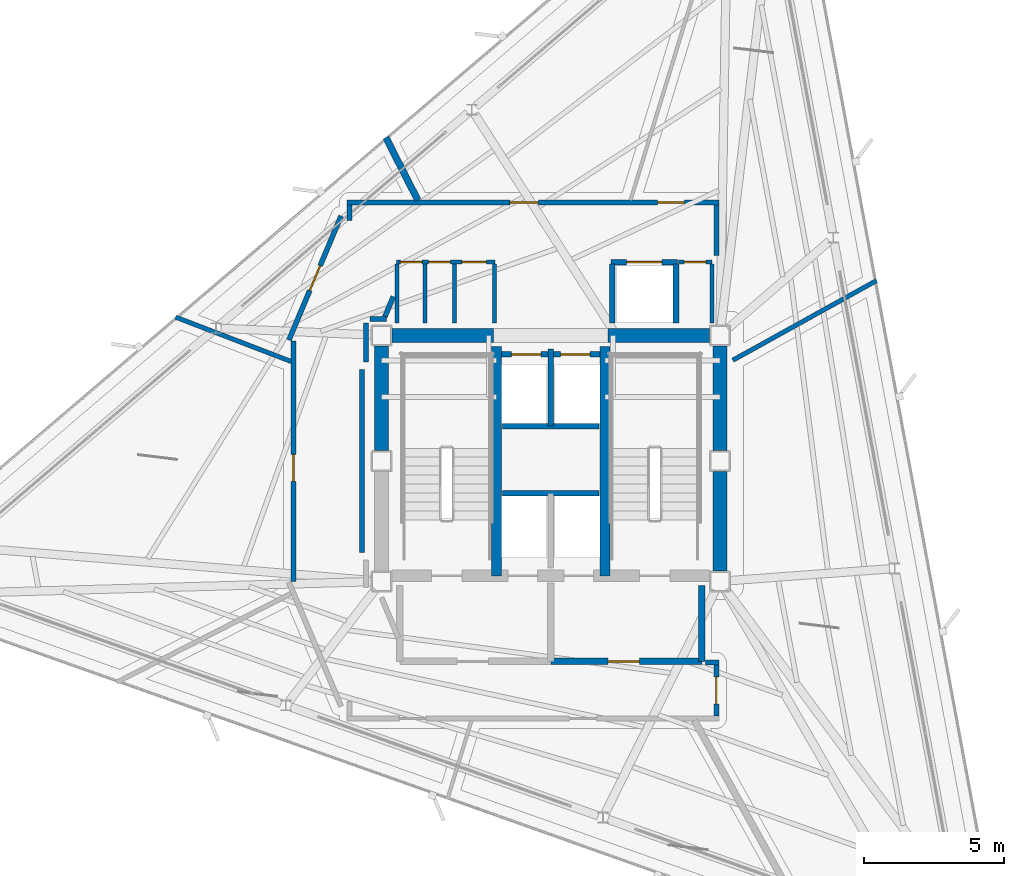
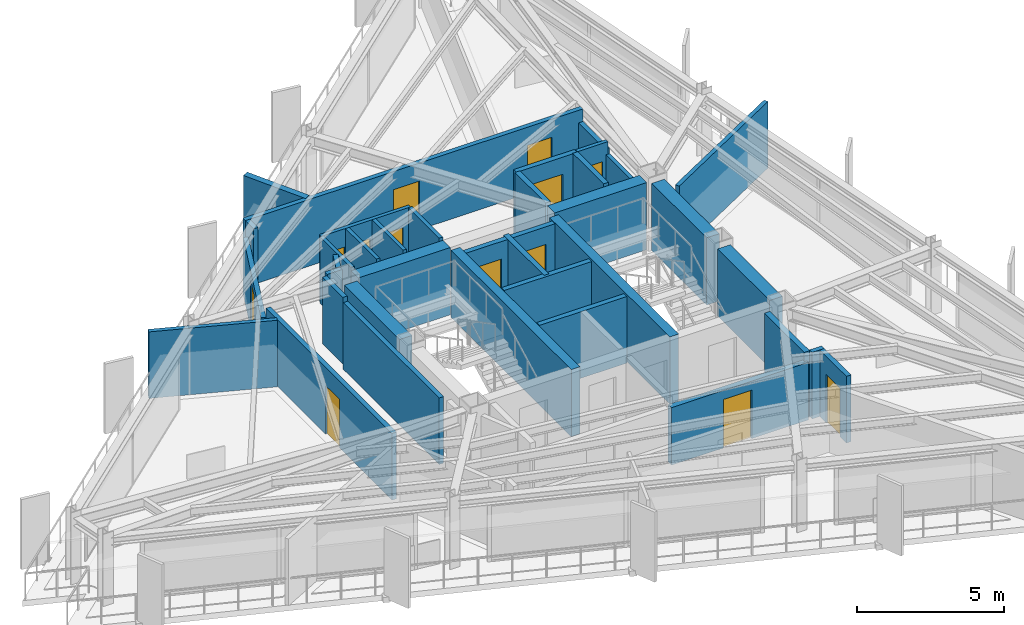
# One storey, part 9 of 14: 37 walls, 13 doors, 13 openings.
"""IFC4 building model written with IfcOpenShell, lengths in metres."""

from ifc_helpers import new_model, si_unit, direction, frame, frame_2d, origin, place, context, subcontext, project, spatial, rectangle, extrude, material, layer, layer_set, type_object, element, fill, save


model = new_model("IFC4")

# Units and contexts
model_context = context("Model", 3, precision=1e-05, world=origin(), true_north=direction((0.0, 1.0)))
body_context = subcontext(model_context, "Body", "Model", "MODEL_VIEW")
ifc_project = project(units=[si_unit("LENGTHUNIT", "METRE"), si_unit("AREAUNIT", "SQUARE_METRE"), si_unit("VOLUMEUNIT", "CUBIC_METRE"), si_unit("PLANEANGLEUNIT", "RADIAN"), si_unit("MASSUNIT", "GRAM", prefix="KILO")], contexts=[model_context])

# Site, building, storey
site_placement = place(None, origin())
site = spatial("IfcSite", under=ifc_project, at=site_placement, CompositionType="ELEMENT")
building_placement = place(site_placement, origin())
building = spatial("IfcBuilding", under=site, at=building_placement, Name="Rocaltana Carrier Exchange", CompositionType="ELEMENT")
storey_placement = place(building_placement, frame((0.0, 0.0, 181.43994140625)))
storey = spatial("IfcBuildingStorey", under=building, at=storey_placement, Name="L57", CompositionType="ELEMENT", Elevation=181.43994140625)

# Walls
ifc_material_1 = material(Name="Double Acoustic Gypsum Partition", Category="gypsum")
ifc_layer_1 = layer(ifc_material_1, 0.159912109375)
ifc_layer_set_1 = layer_set([ifc_layer_1], Name="Double Acoustic Gypsum Partition")
wall_type_1 = type_object("IfcWallType", Name="Acoustic Studio Partition 160 EI60", PredefinedType="PARTITIONING", material=ifc_layer_set_1)
wall_1_placement = place(storey_placement, frame((6.510009765625, 3.608642578125, 0.0), z_axis=(0.0, 0.0, 1.0), x_axis=(0.874634801292, 0.484782388675, 0.0)))
element("IfcWall", 1, at=wall_1_placement, inside=storey, type_object=wall_type_1, Name="L57 Suite Divider Wall D4", PredefinedType="PARTITIONING", context=body_context, shape_type="SweptSolid", body=[
    extrude(rectangle(XDim=5.879150390625, YDim=0.159912109375, at=frame_2d((2.939453125, 0.0))), origin(), (0.0, 0.0, 1.0), 2.77294921875),
])
wall_2_placement = place(storey_placement, frame((-9.280029296875, 3.562255859375, 0.0), z_axis=(0.0, 0.0, 1.0), x_axis=(-0.933582300371, 0.3583630679, 0.0)))
element("IfcWall", 2, at=wall_2_placement, inside=storey, type_object=wall_type_1, Name="L57 Suite Divider Wall D7", PredefinedType="PARTITIONING", context=body_context, shape_type="SweptSolid", body=[
    extrude(rectangle(XDim=4.435791015625, YDim=0.159912109375, at=frame_2d((2.2177734375, 0.0))), origin(), (0.0, 0.0, 1.0), 2.77294921875),
])
ifc_material_2 = material(Name="Concrete C50/60", Category="concrete")
ifc_layer_2 = layer(ifc_material_2, 0.35009765625)
ifc_layer_set_2 = layer_set([ifc_layer_2], Name="Concrete C50/60")
wall_type_2 = type_object("IfcWallType", Name="Core Internal Shear Wall 350", PredefinedType="SHEAR", material=ifc_layer_set_2)
for number, where, z_axis, x_axis, name in (
    (3, (-1.93994140625, -4.10009765625, 0.0), (0.0, 0.0, 1.0), (0.0, 1.0, 0.0), "L57 Core Shear Wall CW-STW"),
    (4, (1.93994140625, -4.10009765625, 0.0), (0.0, 0.0, 1.0), (0.0, 1.0, 0.0), "L57 Core Shear Wall CW-STE"),
):
    element("IfcWall", number, at=place(storey_placement, frame(where, z_axis=z_axis, x_axis=x_axis)), inside=storey, type_object=wall_type_2, Name=name, PredefinedType="SHEAR", context=body_context, shape_type="SweptSolid", body=[
        extrude(rectangle(XDim=8.2001953125, YDim=0.35009765625, at=frame_2d((4.10009765625, 0.0))), origin(), (0.0, 0.0, 1.0), 2.798095703125),
    ])
ifc_material_3 = material(Name="Concrete C50/60", Category="concrete")
ifc_layer_3 = layer(ifc_material_3, 0.5)
ifc_layer_set_3 = layer_set([ifc_layer_3], Name="Concrete C50/60")
wall_type_3 = type_object("IfcWallType", Name="Core Shear Wall 500", PredefinedType="SHEAR", material=ifc_layer_set_3)
for number, where, z_axis, x_axis, name in (
    (5, (-6.050048828125, 0.375, 0.0), (0.0, 0.0, 1.0), (0.0, 1.0, 0.0), "L57 Core Shear Wall CW-WN"),
    (6, (6.050048828125, 0.375, 0.0), (0.0, 0.0, 1.0), (0.0, 1.0, 0.0), "L57 Core Shear Wall CW-EN"),
):
    element("IfcWall", number, at=place(storey_placement, frame(where, z_axis=z_axis, x_axis=x_axis)), inside=storey, type_object=wall_type_3, Name=name, PredefinedType="SHEAR", context=body_context, shape_type="SweptSolid", body=[
        extrude(rectangle(XDim=3.75, YDim=0.5, at=frame_2d((1.875, 0.0))), origin(), (0.0, 0.0, 1.0), 2.798095703125),
    ])
wall_3_placement = place(storey_placement, frame((6.050048828125, -3.925048828125, 0.0), z_axis=(0.0, 0.0, 1.0), x_axis=(0.0, 1.0, 0.0)))
element("IfcWall", 7, at=wall_3_placement, inside=storey, type_object=wall_type_3, Name="L57 Core Shear Wall CW-ES", PredefinedType="SHEAR", context=body_context, shape_type="SweptSolid", body=[
    extrude(rectangle(XDim=3.550048828125, YDim=0.5, at=frame_2d((1.77490234375, 0.0))), origin(), (0.0, 0.0, 1.0), 2.798095703125),
])
for number, where, z_axis, x_axis, name in (
    (8, (-5.675048828125, 4.5, 0.0), (0.0, 0.0, 1.0), (1.0, 0.0, 0.0), "L57 Core Shear Wall CW-N1"),
    (9, (2.050048828125, 4.5, 0.0), (0.0, 0.0, 1.0), (1.0, 0.0, 0.0), "L57 Core Shear Wall CW-N2"),
):
    element("IfcWall", number, at=place(storey_placement, frame(where, z_axis=z_axis, x_axis=x_axis)), inside=storey, type_object=wall_type_3, Name=name, PredefinedType="SHEAR", context=body_context, shape_type="SweptSolid", body=[
        extrude(rectangle(XDim=3.625, YDim=0.5, at=frame_2d((1.8125, 0.0))), origin(), (0.0, 0.0, 1.0), 2.798095703125),
    ])

# Wall, opening, door
ifc_material_4 = material(Name="Gypsum & Steel Stud Partition", Category="steel")
ifc_layer_4 = layer(ifc_material_4, 0.179931640625)
ifc_layer_set_4 = layer_set([ifc_layer_4], Name="Gypsum & Steel Stud Partition")
wall_type_4 = type_object("IfcWallType", Name="Corridor Fire Partition 180 EI60", PredefinedType="PARTITIONING", material=ifc_layer_set_4)
wall_4_placement = place(storey_placement, frame((-9.199951171875, -4.303466796875, 0.0), z_axis=(0.0, 0.0, 1.0), x_axis=(0.0, 1.0, 0.0)))
wall_4 = element("IfcWall", 10, at=wall_4_placement, inside=storey, type_object=wall_type_4, Name="L57 Corridor Partition 2", PredefinedType="PARTITIONING", context=body_context, shape_type="SweptSolid", body=[
    extrude(rectangle(XDim=8.60693359375, YDim=0.179931640625, at=frame_2d((4.303466796875, 0.0))), origin(), (0.0, 0.0, 1.0), 2.77294921875),
])
opening_1_placement = place(wall_4_placement, frame((3.58203125, 0.0, 0.0)))
opening_1 = element("IfcOpeningElement", 11, at=opening_1_placement, cuts=wall_4, Name="Opening D-RM098", PredefinedType="OPENING", context=body_context, shape_type="SweptSolid", body=[
    extrude(rectangle(XDim=0.9599609375, YDim=2.02001953125, at=frame_2d((0.47998046875, 1.010009765625))), frame((0.0, 0.099853515625, 0.0), z_axis=(0.0, -1.0, 0.0), x_axis=(1.0, 0.0, 0.0)), (0.0, 0.0, 1.0), 0.199951171875),
])
ifc_material_5 = material(Name="Engineered Hardwood Timber", Category="wood")
door_type_1 = type_object("IfcDoorType", Name="Workspace Single Door 960x2020", OperationType="NOTDEFINED", PredefinedType="DOOR", material=ifc_material_5)
door_1_placement = place(opening_1_placement, origin())
door_1 = element("IfcDoor", 12, at=door_1_placement, inside=storey, type_object=door_type_1, Name="L57 Client Reception Foyer Entrance Door", OperationType="SINGLE_SWING_RIGHT", OverallHeight=2.02001953125, OverallWidth=0.9599609375, PredefinedType="DOOR", context=body_context, shape_type="SweptSolid", body=[
    extrude(rectangle(XDim=0.9599609375, YDim=2.02001953125, at=frame_2d((0.47998046875, 1.010009765625))), frame((0.0, 0.02490234375, 0.0), z_axis=(0.0, -1.0, 0.0), x_axis=(1.0, 0.0, 0.0)), (0.0, 0.0, 1.0), 0.050048828125),
])
fill(opening_1, door_1)

wall_5_placement = place(storey_placement, frame((-9.36669921875, 4.331787109375, 0.0), z_axis=(0.0, 0.0, 1.0), x_axis=(0.387573945081, 0.921838617706, 0.0)))
wall_5 = element("IfcWall", 13, at=wall_5_placement, inside=storey, type_object=wall_type_4, Name="L57 Corridor Partition 3", PredefinedType="PARTITIONING", context=body_context, shape_type="SweptSolid", body=[
    extrude(rectangle(XDim=4.813232421875, YDim=0.179931640625, at=frame_2d((2.40673828125, 0.0))), origin(), (0.0, 0.0, 1.0), 2.39501953125),
])
opening_2_placement = place(wall_5_placement, frame((1.926513671875, 0.0, 0.0)))
opening_2 = element("IfcOpeningElement", 14, at=opening_2_placement, cuts=wall_5, Name="Opening D-RM098", PredefinedType="OPENING", context=body_context, shape_type="SweptSolid", body=[
    extrude(rectangle(XDim=0.9599609375, YDim=2.02001953125, at=frame_2d((0.47998046875, 1.010009765625))), frame((0.0, 0.099853515625, 0.0), z_axis=(0.0, -1.0, 0.0), x_axis=(1.0, 0.0, 0.0)), (0.0, 0.0, 1.0), 0.199951171875),
])
door_2_placement = place(opening_2_placement, origin())
door_2 = element("IfcDoor", 15, at=door_2_placement, inside=storey, type_object=door_type_1, Name="L57 Client Reception Foyer Entrance Door", OperationType="SINGLE_SWING_RIGHT", OverallHeight=2.02001953125, OverallWidth=0.9599609375, PredefinedType="DOOR", context=body_context, shape_type="SweptSolid", body=[
    extrude(rectangle(XDim=0.9599609375, YDim=2.02001953125, at=frame_2d((0.47998046875, 1.010009765625))), frame((0.0, 0.02490234375, 0.0), z_axis=(0.0, -1.0, 0.0), x_axis=(1.0, 0.0, 0.0)), (0.0, 0.0, 1.0), 0.050048828125),
])
fill(opening_2, door_2)

# Wall
wall_6_placement = place(storey_placement, frame((-7.199951171875, 8.6005859375, 0.0), z_axis=(0.0, 0.0, 1.0), x_axis=(0.0, 1.0, 0.0)))
element("IfcWall", 16, at=wall_6_placement, inside=storey, type_object=wall_type_4, Name="L57 Corridor Partition 4", PredefinedType="PARTITIONING", context=body_context, shape_type="SweptSolid", body=[
    extrude(rectangle(XDim=0.559326171875, YDim=0.179931640625, at=frame_2d((0.27978515625, 0.0))), origin(), (0.0, 0.0, 1.0), 2.77294921875),
])

# Wall, openings, doors
wall_7_placement = place(storey_placement, frame((-7.2900390625, 9.25, 0.0), z_axis=(0.0, 0.0, 1.0), x_axis=(1.0, 0.0, 0.0)))
wall_7 = element("IfcWall", 17, at=wall_7_placement, inside=storey, type_object=wall_type_4, Name="L57 Corridor Partition 5", PredefinedType="PARTITIONING", context=body_context, shape_type="SweptSolid", body=[
    extrude(rectangle(XDim=13.300048828125, YDim=0.179931640625, at=frame_2d((6.64990234375, 0.0))), origin(), (0.0, 0.0, 1.0), 2.77294921875),
])
opening_3_placement = place(wall_7_placement, frame((11.11279296875, 0.0, 0.0)))
opening_3 = element("IfcOpeningElement", 18, at=opening_3_placement, cuts=wall_7, Name="Opening D-RM098", PredefinedType="OPENING", context=body_context, shape_type="SweptSolid", body=[
    extrude(rectangle(XDim=0.9599609375, YDim=2.02001953125, at=frame_2d((0.47998046875, 1.010009765625))), frame((0.0, 0.099853515625, 0.0), z_axis=(0.0, -1.0, 0.0), x_axis=(1.0, 0.0, 0.0)), (0.0, 0.0, 1.0), 0.199951171875),
])
opening_4_placement = place(wall_7_placement, frame((5.8271484375, 0.0, 0.0)))
opening_4 = element("IfcOpeningElement", 19, at=opening_4_placement, cuts=wall_7, Name="Opening D-LB104", PredefinedType="OPENING", context=body_context, shape_type="SweptSolid", body=[
    extrude(rectangle(XDim=1.02001953125, YDim=2.02001953125, at=frame_2d((0.510009765625, 1.010009765625))), frame((0.0, 0.099853515625, 0.0), z_axis=(0.0, -1.0, 0.0), x_axis=(1.0, 0.0, 0.0)), (0.0, 0.0, 1.0), 0.199951171875),
])
ifc_material_6 = material(Name="Powder-Coated Aluminium 6063-T6", Category="aluminium")
door_type_2 = type_object("IfcDoorType", Name="Laboratory Acoustic Door 1020x2020", OperationType="NOTDEFINED", PredefinedType="DOOR", material=ifc_material_6)
door_3_placement = place(opening_4_placement, origin())
door_3 = element("IfcDoor", 20, at=door_3_placement, inside=storey, type_object=door_type_2, Name="L57 Optical Switching Laboratory Entrance Door", OperationType="SINGLE_SWING_LEFT", OverallHeight=2.02001953125, OverallWidth=1.02001953125, PredefinedType="DOOR", context=body_context, shape_type="SweptSolid", body=[
    extrude(rectangle(XDim=1.02001953125, YDim=2.02001953125, at=frame_2d((0.510009765625, 1.010009765625))), frame((0.0, 0.02490234375, 0.0), z_axis=(0.0, -1.0, 0.0), x_axis=(1.0, 0.0, 0.0)), (0.0, 0.0, 1.0), 0.050048828125),
])
fill(opening_4, door_3)
door_4_placement = place(opening_3_placement, origin())
door_4 = element("IfcDoor", 21, at=door_4_placement, inside=storey, type_object=door_type_1, Name="L57 Peering Conference Room Entrance Door", OperationType="SINGLE_SWING_RIGHT", OverallHeight=2.02001953125, OverallWidth=0.9599609375, PredefinedType="DOOR", context=body_context, shape_type="SweptSolid", body=[
    extrude(rectangle(XDim=0.9599609375, YDim=2.02001953125, at=frame_2d((0.47998046875, 1.010009765625))), frame((0.0, 0.02490234375, 0.0), z_axis=(0.0, -1.0, 0.0), x_axis=(1.0, 0.0, 0.0)), (0.0, 0.0, 1.0), 0.050048828125),
])
fill(opening_3, door_4)

# Walls
wall_8_placement = place(storey_placement, frame((5.919921875, 9.159912109375, 0.0), z_axis=(0.0, 0.0, 1.0), x_axis=(0.0, -1.0, 0.0)))
element("IfcWall", 22, at=wall_8_placement, inside=storey, type_object=wall_type_4, Name="L57 Corridor Partition 6", PredefinedType="PARTITIONING", context=body_context, shape_type="SweptSolid", body=[
    extrude(rectangle(XDim=1.7998046875, YDim=0.179931640625, at=frame_2d((0.89990234375, 0.0))), origin(), (0.0, 0.0, 1.0), 2.253173828125),
])
wall_9_placement = place(storey_placement, frame((-5.632080078125, 5.88671875, 0.0), z_axis=(0.0, 0.0, 1.0), x_axis=(-0.387792833522, -0.921746558588, 0.0)))
element("IfcWall", 23, at=wall_9_placement, inside=storey, type_object=wall_type_4, Name="L57 Corridor Partition 8", PredefinedType="PARTITIONING", context=body_context, shape_type="SweptSolid", body=[
    extrude(rectangle(XDim=0.78515625, YDim=0.179931640625, at=frame_2d((0.392578125, 0.0))), origin(), (0.0, 0.0, 1.0), 2.77294921875),
])
wall_10_placement = place(storey_placement, frame((-5.88134765625, 5.080078125, 0.0), z_axis=(0.0, 0.0, 1.0), x_axis=(-1.0, 0.0, 0.0)))
element("IfcWall", 24, at=wall_10_placement, inside=storey, type_object=wall_type_4, Name="L57 Corridor Partition 9", PredefinedType="PARTITIONING", context=body_context, shape_type="SweptSolid", body=[
    extrude(rectangle(XDim=0.588623046875, YDim=0.179931640625, at=frame_2d((0.29443359375, 0.0))), origin(), (0.0, 0.0, 1.0), 2.77294921875),
])
wall_11_placement = place(storey_placement, frame((-6.610107421875, 4.93994140625, 0.0), z_axis=(0.0, 0.0, 1.0), x_axis=(0.0, -1.0, 0.0)))
element("IfcWall", 25, at=wall_11_placement, inside=storey, type_object=wall_type_4, Name="L57 Corridor Partition 10", PredefinedType="PARTITIONING", context=body_context, shape_type="SweptSolid", body=[
    extrude(rectangle(XDim=1.398681640625, YDim=0.179931640625, at=frame_2d((0.69921875, 0.0))), origin(), (0.0, 0.0, 1.0), 2.77294921875),
])
wall_12_placement = place(storey_placement, frame((-6.75, 3.2734375, 0.0), z_axis=(0.0, 0.0, 1.0), x_axis=(0.0, -1.0, 0.0)))
element("IfcWall", 26, at=wall_12_placement, inside=storey, type_object=wall_type_4, Name="L57 Corridor Partition 11", PredefinedType="PARTITIONING", context=body_context, shape_type="SweptSolid", body=[
    extrude(rectangle(XDim=6.546875, YDim=0.179931640625, at=frame_2d((3.2734375, 0.0))), origin(), (0.0, 0.0, 1.0), 2.77294921875),
])
wall_13_placement = place(storey_placement, frame((5.530029296875, -7.199951171875, 0.0), z_axis=(0.0, 0.0, 1.0), x_axis=(1.0, 0.0, 0.0)))
element("IfcWall", 27, at=wall_13_placement, inside=storey, type_object=wall_type_4, Name="L57 Corridor Partition 14", PredefinedType="PARTITIONING", context=body_context, shape_type="SweptSolid", body=[
    extrude(rectangle(XDim=0.47998046875, YDim=0.179931640625, at=frame_2d((0.239990234375, 0.0))), origin(), (0.0, 0.0, 1.0), 2.77294921875),
])

# Wall, opening, door
wall_14_placement = place(storey_placement, frame((5.919921875, -7.2900390625, 0.0), z_axis=(0.0, 0.0, 1.0), x_axis=(0.0, -1.0, 0.0)))
wall_14 = element("IfcWall", 28, at=wall_14_placement, inside=storey, type_object=wall_type_4, Name="L57 Corridor Partition 15", PredefinedType="PARTITIONING", context=body_context, shape_type="SweptSolid", body=[
    extrude(rectangle(XDim=1.820068359375, YDim=0.179931640625, at=frame_2d((0.91015625, 0.0))), origin(), (0.0, 0.0, 1.0), 2.77294921875),
])
opening_5_placement = place(wall_14_placement, frame((0.429931640625, 0.0, 0.0)))
opening_5 = element("IfcOpeningElement", 29, at=opening_5_placement, cuts=wall_14, Name="Opening D-RM098", PredefinedType="OPENING", context=body_context, shape_type="SweptSolid", body=[
    extrude(rectangle(XDim=0.9599609375, YDim=2.02001953125, at=frame_2d((0.47998046875, 1.010009765625))), frame((0.0, 0.099853515625, 0.0), z_axis=(0.0, -1.0, 0.0), x_axis=(1.0, 0.0, 0.0)), (0.0, 0.0, 1.0), 0.199951171875),
])
door_5_placement = place(opening_5_placement, origin())
door_5 = element("IfcDoor", 30, at=door_5_placement, inside=storey, type_object=door_type_1, Name="L57 Cloud Architecture Office Entrance Door", OperationType="SINGLE_SWING_LEFT", OverallHeight=2.02001953125, OverallWidth=0.9599609375, PredefinedType="DOOR", context=body_context, shape_type="SweptSolid", body=[
    extrude(rectangle(XDim=0.9599609375, YDim=2.02001953125, at=frame_2d((0.47998046875, 1.010009765625))), frame((0.0, 0.02490234375, 0.0), z_axis=(0.0, -1.0, 0.0), x_axis=(1.0, 0.0, 0.0)), (0.0, 0.0, 1.0), 0.050048828125),
])
fill(opening_5, door_5)

# Wall
ifc_material_7 = material(Name="Autoclaved Aerated Concrete C30/37", Category="concrete")
ifc_layer_5 = layer(ifc_material_7, 0.219970703125)
ifc_layer_set_5 = layer_set([ifc_layer_5], Name="Autoclaved Aerated Concrete C30/37")
wall_type_5 = type_object("IfcWallType", Name="Firefighting Lobby Wall 220 EI120", PredefinedType="PARTITIONING", material=ifc_layer_set_5)
wall_15_placement = place(storey_placement, frame((5.39990234375, -7.159912109375, 0.0), z_axis=(0.0, 0.0, 1.0), x_axis=(0.0, 1.0, 0.0)))
element("IfcWall", 31, at=wall_15_placement, inside=storey, type_object=wall_type_5, Name="L57 FFL Lobby 2 East Wall", PredefinedType="PARTITIONING", context=body_context, shape_type="SweptSolid", body=[
    extrude(rectangle(XDim=2.7099609375, YDim=0.219970703125, at=frame_2d((1.35498046875, 0.0))), origin(), (0.0, 0.0, 1.0), 2.77294921875),
])

# Wall, opening, door
wall_16_placement = place(storey_placement, frame((0.0, -7.159912109375, 0.0), z_axis=(0.0, 0.0, 1.0), x_axis=(1.0, 0.0, 0.0)))
wall_16 = element("IfcWall", 32, at=wall_16_placement, inside=storey, type_object=wall_type_5, Name="L57 FFL Lobby 2 South Wall", PredefinedType="PARTITIONING", context=body_context, shape_type="SweptSolid", body=[
    extrude(rectangle(XDim=5.39990234375, YDim=0.219970703125, at=frame_2d((2.699951171875, 0.0))), origin(), (0.0, 0.0, 1.0), 2.39501953125),
])
opening_6_placement = place(wall_16_placement, frame((2.050048828125, 0.0, 0.0)))
opening_6 = element("IfcOpeningElement", 33, at=opening_6_placement, cuts=wall_16, Name="Opening D-FF115", PredefinedType="OPENING", context=body_context, shape_type="SweptSolid", body=[
    extrude(rectangle(XDim=1.1201171875, YDim=2.02001953125, at=frame_2d((0.56005859375, 1.010009765625))), frame((0.0, 0.119873046875, 0.0), z_axis=(0.0, -1.0, 0.0), x_axis=(1.0, 0.0, 0.0)), (0.0, 0.0, 1.0), 0.239990234375),
])
ifc_material_8 = material(Name="Hollow Metal Fire Door Assembly", Category="steel")
door_type_3 = type_object("IfcDoorType", Name="Firefighting Lobby Door 1120x2020 FD60S", OperationType="NOTDEFINED", PredefinedType="DOOR", material=ifc_material_8)
door_6_placement = place(opening_6_placement, origin())
door_6 = element("IfcDoor", 34, at=door_6_placement, inside=storey, type_object=door_type_3, Name="L57 Firefighting Lift Lobby 2 Door", OperationType="SINGLE_SWING_LEFT", OverallHeight=2.02001953125, OverallWidth=1.1201171875, PredefinedType="DOOR", context=body_context, shape_type="SweptSolid", body=[
    extrude(rectangle(XDim=1.1201171875, YDim=2.02001953125, at=frame_2d((0.56005859375, 1.010009765625))), frame((0.0, 0.02490234375, 0.0), z_axis=(0.0, -1.0, 0.0), x_axis=(1.0, 0.0, 0.0)), (0.0, 0.0, 1.0), 0.050048828125),
])
fill(opening_6, door_6)

# Walls
ifc_material_9 = material(Name="Acoustic Calcium Silicate Partition", Category="gypsum")
ifc_layer_6 = layer(ifc_material_9, 0.239990234375)
ifc_layer_set_6 = layer_set([ifc_layer_6], Name="Acoustic Calcium Silicate Partition")
wall_type_6 = type_object("IfcWallType", Name="Heavy Lab Partition 240 EI90", PredefinedType="PARTITIONING", material=ifc_layer_set_6)
wall_17_placement = place(storey_placement, frame((-4.75390625, 9.330078125, 0.0), z_axis=(0.0, 0.0, 1.0), x_axis=(-0.453977993214, 0.891012896471, 0.0)))
element("IfcWall", 35, at=wall_17_placement, inside=storey, type_object=wall_type_6, Name="L57 Suite Divider Wall D6", PredefinedType="PARTITIONING", context=body_context, shape_type="SweptSolid", body=[
    extrude(rectangle(XDim=2.521728515625, YDim=0.239990234375, at=frame_2d((1.2607421875, 0.0))), origin(), (0.0, 0.0, 1.0), 2.77294921875),
])
ifc_material_10 = material(Name="Reinforced Concrete Block C35/45", Category="concrete")
ifc_layer_7 = layer(ifc_material_10, 0.199951171875)
ifc_layer_set_7 = layer_set([ifc_layer_7], Name="Reinforced Concrete Block C35/45")
wall_type_7 = type_object("IfcWallType", Name="Lift Hoistway Enclosure Wall 200 EI120", PredefinedType="PARTITIONING", material=ifc_layer_set_7)
wall_18_placement = place(storey_placement, frame((-1.719970703125, -1.14990234375, 0.0), z_axis=(0.0, 0.0, 1.0), x_axis=(1.0, 0.0, 0.0)))
element("IfcWall", 36, at=wall_18_placement, inside=storey, type_object=wall_type_7, Name="L57 FFL Shaft Back Wall", PredefinedType="PARTITIONING", context=body_context, shape_type="SweptSolid", body=[
    extrude(rectangle(XDim=3.43994140625, YDim=0.199951171875, at=frame_2d((1.719970703125, 0.0))), origin(), (0.0, 0.0, 1.0), 2.77294921875),
])
wall_19_placement = place(storey_placement, frame((0.0, 1.25, 0.0), z_axis=(0.0, 0.0, 1.0), x_axis=(0.0, 1.0, 0.0)))
element("IfcWall", 37, at=wall_19_placement, inside=storey, type_object=wall_type_7, Name="L57 High-Rise Shaft Divider", PredefinedType="PARTITIONING", context=body_context, shape_type="SweptSolid", body=[
    extrude(rectangle(XDim=2.77001953125, YDim=0.199951171875, at=frame_2d((1.385009765625, 0.0))), origin(), (0.0, 0.0, 1.0), 2.77294921875),
])
wall_20_placement = place(storey_placement, frame((-1.719970703125, 1.25, 0.0), z_axis=(0.0, 0.0, 1.0), x_axis=(1.0, 0.0, 0.0)))
element("IfcWall", 38, at=wall_20_placement, inside=storey, type_object=wall_type_7, Name="L57 High-Rise Shaft Back Wall", PredefinedType="PARTITIONING", context=body_context, shape_type="SweptSolid", body=[
    extrude(rectangle(XDim=3.43994140625, YDim=0.199951171875, at=frame_2d((1.719970703125, 0.0))), origin(), (0.0, 0.0, 1.0), 2.77294921875),
])

# Wall, openings, doors
wall_21_placement = place(storey_placement, frame((-1.760009765625, 3.820068359375, 0.0), z_axis=(0.0, 0.0, 1.0), x_axis=(1.0, 0.0, 0.0)))
wall_21 = element("IfcWall", 39, at=wall_21_placement, inside=storey, type_object=wall_type_7, Name="L57 High-Rise Lift Front Wall", PredefinedType="PARTITIONING", context=body_context, shape_type="SweptSolid", body=[
    extrude(rectangle(XDim=3.52001953125, YDim=0.199951171875, at=frame_2d((1.760009765625, 0.0))), origin(), (0.0, 0.0, 1.0), 2.77294921875),
])
opening_7_placement = place(wall_21_placement, frame((0.35009765625, 0.0, 0.0)))
opening_7 = element("IfcOpeningElement", 40, at=opening_7_placement, cuts=wall_21, Name="Opening LD-110", PredefinedType="OPENING", context=body_context, shape_type="SweptSolid", body=[
    extrude(rectangle(XDim=1.06005859375, YDim=2.0400390625, at=frame_2d((0.530029296875, 1.02001953125))), frame((0.0, 0.10986328125, 0.0), z_axis=(0.0, -1.0, 0.0), x_axis=(1.0, 0.0, 0.0)), (0.0, 0.0, 1.0), 0.219970703125),
])
opening_8_placement = place(wall_21_placement, frame((2.110107421875, 0.0, 0.0)))
opening_8 = element("IfcOpeningElement", 41, at=opening_8_placement, cuts=wall_21, Name="Opening LD-110", PredefinedType="OPENING", context=body_context, shape_type="SweptSolid", body=[
    extrude(rectangle(XDim=1.06005859375, YDim=2.0400390625, at=frame_2d((0.530029296875, 1.02001953125))), frame((0.0, 0.10986328125, 0.0), z_axis=(0.0, -1.0, 0.0), x_axis=(1.0, 0.0, 0.0)), (0.0, 0.0, 1.0), 0.219970703125),
])
ifc_material_11 = material(Name="Brushed Stainless Sliding Door Leaf", Category="steel")
door_type_4 = type_object("IfcDoorType", Name="Lift Landing Sliding Door 1060x2040", OperationType="NOTDEFINED", PredefinedType="DOOR", material=ifc_material_11)
door_7_placement = place(opening_7_placement, origin())
door_7 = element("IfcDoor", 42, at=door_7_placement, inside=storey, type_object=door_type_4, Name="L57 High-Rise Lift PLH1 Landing Door", OperationType="SLIDING_TO_LEFT", OverallHeight=2.0400390625, OverallWidth=1.06005859375, PredefinedType="DOOR", context=body_context, shape_type="SweptSolid", body=[
    extrude(rectangle(XDim=1.06005859375, YDim=2.0400390625, at=frame_2d((0.530029296875, 1.02001953125))), frame((0.0, 0.02490234375, 0.0), z_axis=(0.0, -1.0, 0.0), x_axis=(1.0, 0.0, 0.0)), (0.0, 0.0, 1.0), 0.050048828125),
])
fill(opening_7, door_7)
door_8_placement = place(opening_8_placement, origin())
door_8 = element("IfcDoor", 43, at=door_8_placement, inside=storey, type_object=door_type_4, Name="L57 High-Rise Lift PLH2 Landing Door", OperationType="SLIDING_TO_RIGHT", OverallHeight=2.0400390625, OverallWidth=1.06005859375, PredefinedType="DOOR", context=body_context, shape_type="SweptSolid", body=[
    extrude(rectangle(XDim=1.06005859375, YDim=2.0400390625, at=frame_2d((0.530029296875, 1.02001953125))), frame((0.0, 0.02490234375, 0.0), z_axis=(0.0, -1.0, 0.0), x_axis=(1.0, 0.0, 0.0)), (0.0, 0.0, 1.0), 0.050048828125),
])
fill(opening_8, door_8)

# Walls
for number, where, z_axis, x_axis, name in (
    (44, (2.199951171875, 4.949951171875, 0.0), (0.0, 0.0, 1.0), (0.0, 1.0, 0.0), "L57 Goods Lift West Wall"),
    (45, (4.47998046875, 4.949951171875, 0.0), (0.0, 0.0, 1.0), (0.0, 1.0, 0.0), "L57 Goods Lift East Wall"),
):
    element("IfcWall", number, at=place(storey_placement, frame(where, z_axis=z_axis, x_axis=x_axis)), inside=storey, type_object=wall_type_7, Name=name, PredefinedType="PARTITIONING", context=body_context, shape_type="SweptSolid", body=[
        extrude(rectangle(XDim=2.10009765625, YDim=0.199951171875, at=frame_2d((1.050048828125, 0.0))), origin(), (0.0, 0.0, 1.0), 2.77294921875),
    ])

# Wall, opening, door
wall_22_placement = place(storey_placement, frame((2.14990234375, 7.1201171875, 0.0), z_axis=(0.0, 0.0, 1.0), x_axis=(1.0, 0.0, 0.0)))
wall_22 = element("IfcWall", 46, at=wall_22_placement, inside=storey, type_object=wall_type_7, Name="L57 Goods Lift Front Wall", PredefinedType="PARTITIONING", context=body_context, shape_type="SweptSolid", body=[
    extrude(rectangle(XDim=2.380126953125, YDim=0.199951171875, at=frame_2d((1.18994140625, 0.0))), origin(), (0.0, 0.0, 1.0), 2.77294921875),
])
opening_9_placement = place(wall_22_placement, frame((0.56005859375, 0.0, 0.0)))
opening_9 = element("IfcOpeningElement", 47, at=opening_9_placement, cuts=wall_22, Name="Opening LD-130", PredefinedType="OPENING", context=body_context, shape_type="SweptSolid", body=[
    extrude(rectangle(XDim=1.260009765625, YDim=2.06005859375, at=frame_2d((0.6298828125, 1.030029296875))), frame((0.0, 0.10986328125, 0.0), z_axis=(0.0, -1.0, 0.0), x_axis=(1.0, 0.0, 0.0)), (0.0, 0.0, 1.0), 0.219970703125),
])
ifc_material_12 = material(Name="Brushed Stainless Sliding Door Leaf", Category="steel")
door_type_5 = type_object("IfcDoorType", Name="Goods Lift Landing Sliding Door 1260x2060", OperationType="NOTDEFINED", PredefinedType="DOOR", material=ifc_material_12)
door_9_placement = place(opening_9_placement, origin())
door_9 = element("IfcDoor", 48, at=door_9_placement, inside=storey, type_object=door_type_5, Name="L57 Goods Lift GL-1 Landing Door", OperationType="SLIDING_TO_LEFT", OverallHeight=2.06005859375, OverallWidth=1.260009765625, PredefinedType="DOOR", context=body_context, shape_type="SweptSolid", body=[
    extrude(rectangle(XDim=1.260009765625, YDim=2.06005859375, at=frame_2d((0.6298828125, 1.030029296875))), frame((0.0, 0.02490234375, 0.0), z_axis=(0.0, -1.0, 0.0), x_axis=(1.0, 0.0, 0.0)), (0.0, 0.0, 1.0), 0.050048828125),
])
fill(opening_9, door_9)

# Walls
ifc_material_13 = material(Name="Moisture-Resistant Masonry C30/37", Category="masonry")
ifc_layer_8 = layer(ifc_material_13, 0.139892578125)
ifc_layer_set_8 = layer_set([ifc_layer_8], Name="Moisture-Resistant Masonry C30/37")
wall_type_8 = type_object("IfcWallType", Name="Wet-Area Sanitary Partition 140", PredefinedType="PARTITIONING", material=ifc_layer_set_8)
for number, where, z_axis, x_axis, name in (
    (49, (-5.5, 4.949951171875, 0.0), (0.0, 0.0, 1.0), (0.0, 1.0, 0.0), "L57 Sanitary West Wall"),
    (50, (-4.5, 4.949951171875, 0.0), (0.0, 0.0, 1.0), (0.0, 1.0, 0.0), "L57 Sanitary Divider 1"),
    (51, (-3.449951171875, 4.949951171875, 0.0), (0.0, 0.0, 1.0), (0.0, 1.0, 0.0), "L57 Sanitary Divider 2"),
    (52, (-2.02001953125, 4.949951171875, 0.0), (0.0, 0.0, 1.0), (0.0, 1.0, 0.0), "L57 Sanitary East Wall"),
):
    element("IfcWall", number, at=place(storey_placement, frame(where, z_axis=z_axis, x_axis=x_axis)), inside=storey, type_object=wall_type_8, Name=name, PredefinedType="PARTITIONING", context=body_context, shape_type="SweptSolid", body=[
        extrude(rectangle(XDim=2.10009765625, YDim=0.139892578125, at=frame_2d((1.050048828125, 0.0))), origin(), (0.0, 0.0, 1.0), 2.77294921875),
    ])

# Wall, openings, doors
wall_23_placement = place(storey_placement, frame((-5.52001953125, 7.1201171875, 0.0), z_axis=(0.0, 0.0, 1.0), x_axis=(1.0, 0.0, 0.0)))
wall_23 = element("IfcWall", 53, at=wall_23_placement, inside=storey, type_object=wall_type_8, Name="L57 Sanitary North Wall", PredefinedType="PARTITIONING", context=body_context, shape_type="SweptSolid", body=[
    extrude(rectangle(XDim=3.52001953125, YDim=0.139892578125, at=frame_2d((1.760009765625, 0.0))), origin(), (0.0, 0.0, 1.0), 2.77294921875),
])
opening_10_placement = place(wall_23_placement, frame((0.139892578125, 0.0, 0.0)))
opening_10 = element("IfcOpeningElement", 54, at=opening_10_placement, cuts=wall_23, Name="Opening D-RS082", PredefinedType="OPENING", context=body_context, shape_type="SweptSolid", body=[
    extrude(rectangle(XDim=0.780029296875, YDim=2.010009765625, at=frame_2d((0.39013671875, 1.0048828125))), frame((0.0, 0.079833984375, 0.0), z_axis=(0.0, -1.0, 0.0), x_axis=(1.0, 0.0, 0.0)), (0.0, 0.0, 1.0), 0.159912109375),
])
opening_11_placement = place(wall_23_placement, frame((1.14990234375, 0.0, 0.0)))
opening_11 = element("IfcOpeningElement", 55, at=opening_11_placement, cuts=wall_23, Name="Opening D-RS082", PredefinedType="OPENING", context=body_context, shape_type="SweptSolid", body=[
    extrude(rectangle(XDim=0.780029296875, YDim=2.010009765625, at=frame_2d((0.39013671875, 1.0048828125))), frame((0.0, 0.079833984375, 0.0), z_axis=(0.0, -1.0, 0.0), x_axis=(1.0, 0.0, 0.0)), (0.0, 0.0, 1.0), 0.159912109375),
])
opening_12_placement = place(wall_23_placement, frame((2.340087890625, 0.0, 0.0)))
opening_12 = element("IfcOpeningElement", 56, at=opening_12_placement, cuts=wall_23, Name="Opening D-WC090", PredefinedType="OPENING", context=body_context, shape_type="SweptSolid", body=[
    extrude(rectangle(XDim=0.8798828125, YDim=2.02001953125, at=frame_2d((0.43994140625, 1.010009765625))), frame((0.0, 0.079833984375, 0.0), z_axis=(0.0, -1.0, 0.0), x_axis=(1.0, 0.0, 0.0)), (0.0, 0.0, 1.0), 0.159912109375),
])
ifc_material_14 = material(Name="High-Pressure Laminate Timber", Category="wood")
door_type_6 = type_object("IfcDoorType", Name="Restroom & Accessible WC Door 880x2020", OperationType="NOTDEFINED", PredefinedType="DOOR", material=ifc_material_14)
door_10_placement = place(opening_12_placement, origin())
door_10 = element("IfcDoor", 57, at=door_10_placement, inside=storey, type_object=door_type_6, Name="L57 Accessible Toilet Door", OperationType="SINGLE_SWING_RIGHT", OverallHeight=2.02001953125, OverallWidth=0.8798828125, PredefinedType="DOOR", context=body_context, shape_type="SweptSolid", body=[
    extrude(rectangle(XDim=0.8798828125, YDim=2.02001953125, at=frame_2d((0.43994140625, 1.010009765625))), frame((0.0, 0.02490234375, 0.0), z_axis=(0.0, -1.0, 0.0), x_axis=(1.0, 0.0, 0.0)), (0.0, 0.0, 1.0), 0.050048828125),
])
fill(opening_12, door_10)
ifc_material_15 = material(Name="Hollow Metal Access Door Leaf", Category="steel")
door_type_7 = type_object("IfcDoorType", Name="Riser & Service Closet Door 780x2010", OperationType="NOTDEFINED", PredefinedType="DOOR", material=ifc_material_15)
door_11_placement = place(opening_10_placement, origin())
door_11 = element("IfcDoor", 58, at=door_11_placement, inside=storey, type_object=door_type_7, Name="L57 Cleaner Store Door", OperationType="SINGLE_SWING_RIGHT", OverallHeight=2.010009765625, OverallWidth=0.780029296875, PredefinedType="DOOR", context=body_context, shape_type="SweptSolid", body=[
    extrude(rectangle(XDim=0.780029296875, YDim=2.010009765625, at=frame_2d((0.39013671875, 1.0048828125))), frame((0.0, 0.02490234375, 0.0), z_axis=(0.0, -1.0, 0.0), x_axis=(1.0, 0.0, 0.0)), (0.0, 0.0, 1.0), 0.050048828125),
])
fill(opening_10, door_11)
door_12_placement = place(opening_11_placement, origin())
door_12 = element("IfcDoor", 59, at=door_12_placement, inside=storey, type_object=door_type_7, Name="L57 Staff Restroom Door", OperationType="SINGLE_SWING_LEFT", OverallHeight=2.010009765625, OverallWidth=0.780029296875, PredefinedType="DOOR", context=body_context, shape_type="SweptSolid", body=[
    extrude(rectangle(XDim=0.780029296875, YDim=2.010009765625, at=frame_2d((0.39013671875, 1.0048828125))), frame((0.0, 0.02490234375, 0.0), z_axis=(0.0, -1.0, 0.0), x_axis=(1.0, 0.0, 0.0)), (0.0, 0.0, 1.0), 0.050048828125),
])
fill(opening_11, door_12)

# Wall
wall_24_placement = place(storey_placement, frame((5.760009765625, 4.949951171875, 0.0), z_axis=(0.0, 0.0, 1.0), x_axis=(0.0, 1.0, 0.0)))
element("IfcWall", 60, at=wall_24_placement, inside=storey, type_object=wall_type_8, Name="L57 Riser East Wall", PredefinedType="PARTITIONING", context=body_context, shape_type="SweptSolid", body=[
    extrude(rectangle(XDim=2.10009765625, YDim=0.139892578125, at=frame_2d((1.050048828125, 0.0))), origin(), (0.0, 0.0, 1.0), 2.253173828125),
])

# Wall, opening, door
wall_25_placement = place(storey_placement, frame((4.56005859375, 7.1201171875, 0.0), z_axis=(0.0, 0.0, 1.0), x_axis=(1.0, 0.0, 0.0)))
wall_25 = element("IfcWall", 61, at=wall_25_placement, inside=storey, type_object=wall_type_8, Name="L57 Riser North Wall", PredefinedType="PARTITIONING", context=body_context, shape_type="SweptSolid", body=[
    extrude(rectangle(XDim=1.199951171875, YDim=0.139892578125, at=frame_2d((0.60009765625, 0.0))), origin(), (0.0, 0.0, 1.0), 2.77294921875),
])
opening_13_placement = place(wall_25_placement, frame((0.2099609375, 0.0, 0.0)))
opening_13 = element("IfcOpeningElement", 62, at=opening_13_placement, cuts=wall_25, Name="Opening D-RS082", PredefinedType="OPENING", context=body_context, shape_type="SweptSolid", body=[
    extrude(rectangle(XDim=0.780029296875, YDim=2.010009765625, at=frame_2d((0.39013671875, 1.0048828125))), frame((0.0, 0.079833984375, 0.0), z_axis=(0.0, -1.0, 0.0), x_axis=(1.0, 0.0, 0.0)), (0.0, 0.0, 1.0), 0.159912109375),
])
door_13_placement = place(opening_13_placement, origin())
door_13 = element("IfcDoor", 63, at=door_13_placement, inside=storey, type_object=door_type_7, Name="L57 Signal Riser Closet Door", OperationType="SINGLE_SWING_LEFT", OverallHeight=2.010009765625, OverallWidth=0.780029296875, PredefinedType="DOOR", context=body_context, shape_type="SweptSolid", body=[
    extrude(rectangle(XDim=0.780029296875, YDim=2.010009765625, at=frame_2d((0.39013671875, 1.0048828125))), frame((0.0, 0.02490234375, 0.0), z_axis=(0.0, -1.0, 0.0), x_axis=(1.0, 0.0, 0.0)), (0.0, 0.0, 1.0), 0.050048828125),
])
fill(opening_13, door_13)

save(model, "model.ifc")
